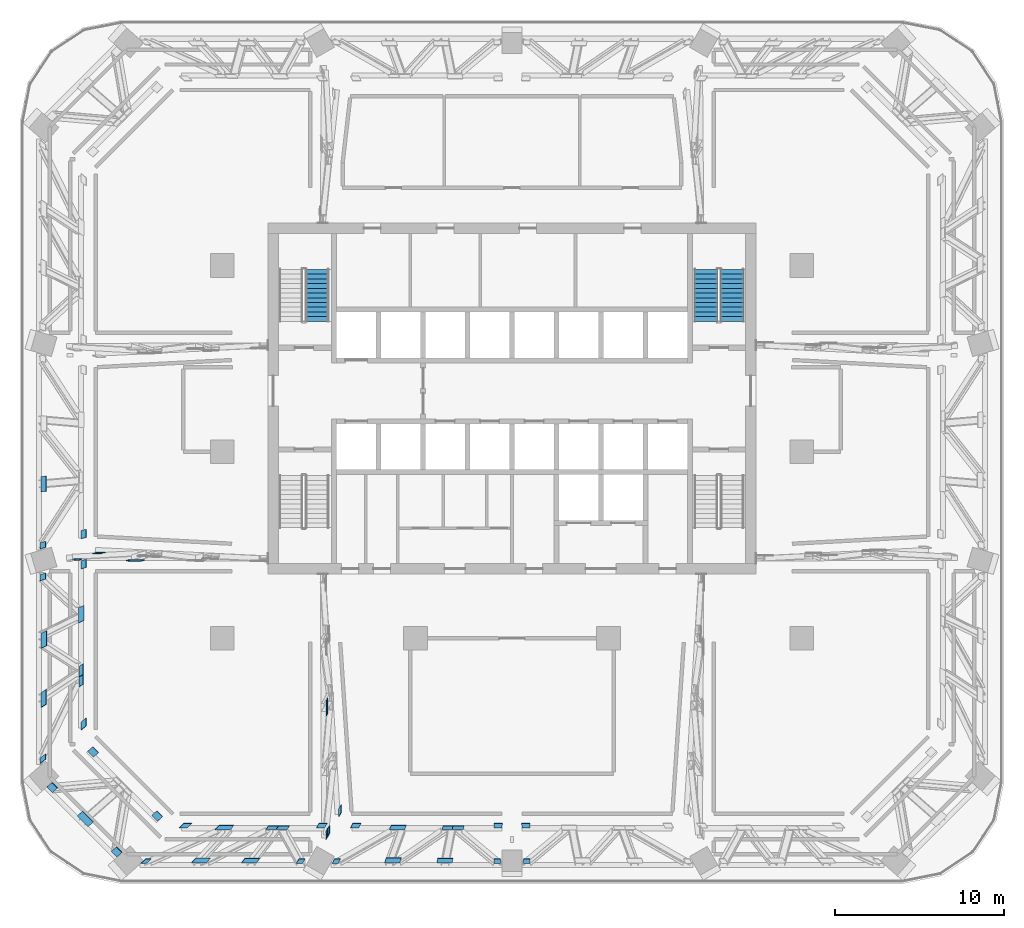
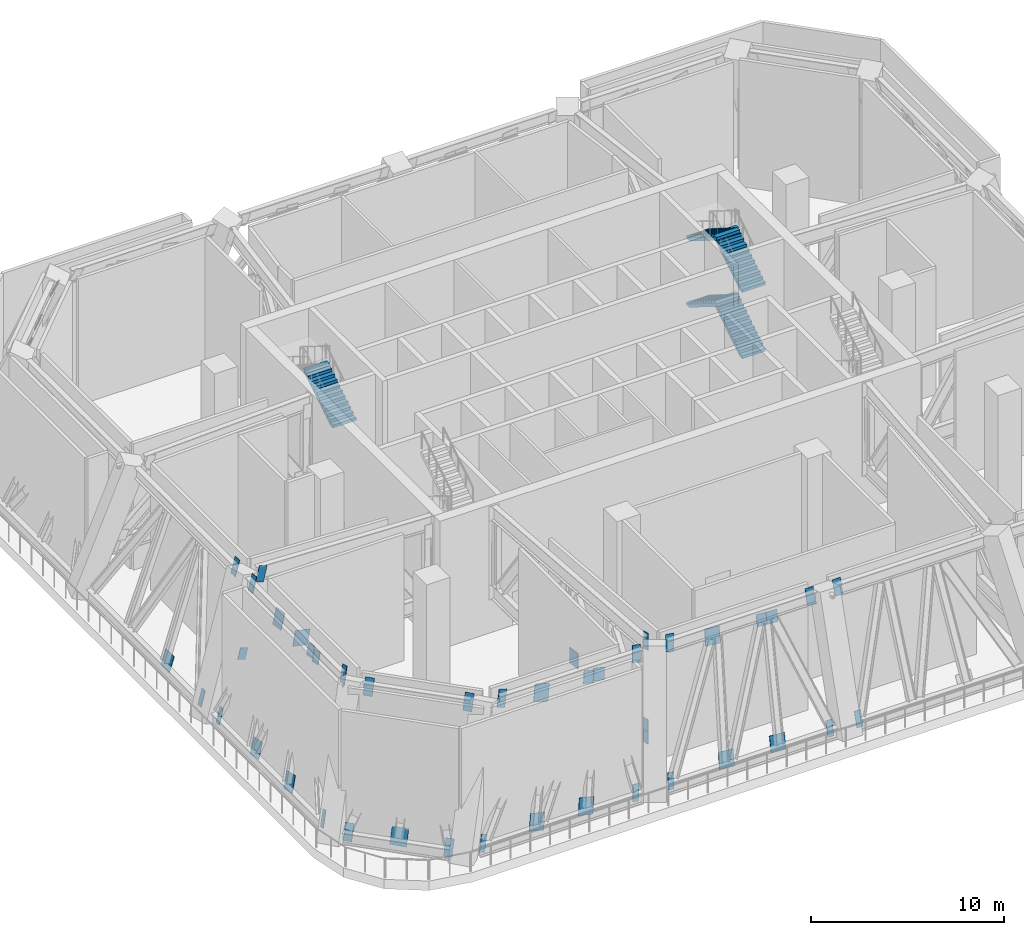
# One storey, part 9 of 24: 44 discrete accessories, 5 stair flights, 2 elements without a shape of their own.
"""IFC4 building model written with IfcOpenShell, lengths in metres."""

from ifc_helpers import new_model, si_unit, direction, frame, origin, origin_2d, place, context, subcontext, project, spatial, polyline, rectangle, outline, extrude, material, layer, layer_set, type_object, element, aggregate, save


model = new_model("IFC4")

# Units and contexts
model_context = context("Model", 3, precision=1e-05, world=origin(), true_north=direction((0.0, 1.0)))
body_context = subcontext(model_context, "Body", "Model", "MODEL_VIEW")
ifc_project = project(units=[si_unit("LENGTHUNIT", "METRE"), si_unit("AREAUNIT", "SQUARE_METRE"), si_unit("VOLUMEUNIT", "CUBIC_METRE"), si_unit("PLANEANGLEUNIT", "RADIAN"), si_unit("MASSUNIT", "GRAM", prefix="KILO")], contexts=[model_context])

# Site, building, storey
site_placement = place(None, origin())
site = spatial("IfcSite", under=ifc_project, at=site_placement, CompositionType="ELEMENT")
building_placement = place(site_placement, origin())
building = spatial("IfcBuilding", under=site, at=building_placement, Name="Mopane Tessera Tower", CompositionType="ELEMENT")
storey_placement = place(building_placement, frame((0.0, 0.0, 148.60009765625)))
storey = spatial("IfcBuildingStorey", under=building, at=storey_placement, Name="L30", CompositionType="ELEMENT", Elevation=148.60009765625)

# Stair, stair flight
ifc_material_1 = material(Name="Concrete C50/60", Category="concrete")
stair_type = type_object("IfcStairType", Name="Escape stair 1400 mm, riser 175 mm", PredefinedType="HALF_TURN_STAIR", material=ifc_material_1)
stair_1_placement = place(storey_placement, origin())
stair_1 = element("IfcStair", 1, at=stair_1_placement, inside=storey, type_object=stair_type, Name="L30 Escape stair north-west", PredefinedType="HALF_TURN_STAIR")
ifc_material_2 = material(Name="Concrete C50/60", Category="concrete")
stair_flight_type = type_object("IfcStairFlightType", Name="Escape stair flight 1400 mm", PredefinedType="STRAIGHT", material=ifc_material_2)
stair_flight_1_placement = place(storey_placement, frame((-11.5, 7.699951171875, 4.199951171875), z_axis=(0.0, 0.0, 1.0), x_axis=(0.0, 1.0, 0.0)))
stair_flight_1 = element("IfcStairFlight", 2, at=stair_flight_1_placement, type_object=stair_flight_type, Name="ST2 flight 3", NumberOfRisers=12, NumberOfTreads=11, PredefinedType="STRAIGHT", RiserHeight=0.175, TreadLength=0.28, context=body_context, shape_type="SweptSolid", body=[
    extrude(outline(polyline([(0.0, 0.0), (0.0, 0.175048828125), (0.280029296875, 0.175048828125), (0.280029296875, 0.35009765625), (0.56005859375, 0.35009765625), (0.56005859375, 0.52490234375), (0.840087890625, 0.52490234375), (0.840087890625, 0.699951171875), (1.1201171875, 0.699951171875), (1.1201171875, 0.875), (1.39990234375, 0.875), (1.39990234375, 1.050048828125), (1.679931640625, 1.050048828125), (1.679931640625, 1.22509765625), (1.9599609375, 1.22509765625), (1.9599609375, 1.39990234375), (2.239990234375, 1.39990234375), (2.239990234375, 1.574951171875), (2.52001953125, 1.574951171875), (2.52001953125, 1.75), (2.800048828125, 1.75), (2.800048828125, 1.925048828125), (3.080078125, 1.925048828125), (3.080078125, 2.10009765625), (3.080078125, 1.748291015625), (0.28271484375, 0.0), (0.0, 0.0)])), frame((0.0, 0.699951171875, 0.0), z_axis=(0.0, -1.0, 0.0), x_axis=(1.0, 0.0, 0.0)), (0.0, 0.0, 1.0), 1.39990234375),
])
aggregate(stair_1, [stair_flight_1])

# Stair, stair flights
stair_2_placement = place(storey_placement, origin())
stair_2 = element("IfcStair", 3, at=stair_2_placement, inside=storey, type_object=stair_type, Name="L30 Escape stair north-east", PredefinedType="HALF_TURN_STAIR")
stair_flight_2_placement = place(storey_placement, frame((13.0, 7.699951171875, 0.0), z_axis=(0.0, 0.0, 1.0), x_axis=(0.0, 1.0, 0.0)))
stair_flight_2 = element("IfcStairFlight", 4, at=stair_flight_2_placement, type_object=stair_flight_type, Name="ST4 flight 1", NumberOfRisers=12, NumberOfTreads=11, PredefinedType="STRAIGHT", RiserHeight=0.175, TreadLength=0.28, context=body_context, shape_type="SweptSolid", body=[
    extrude(outline(polyline([(0.0, 0.0), (0.0, 0.175048828125), (0.280029296875, 0.175048828125), (0.280029296875, 0.35009765625), (0.56005859375, 0.35009765625), (0.56005859375, 0.52490234375), (0.840087890625, 0.52490234375), (0.840087890625, 0.699951171875), (1.1201171875, 0.699951171875), (1.1201171875, 0.875), (1.39990234375, 0.875), (1.39990234375, 1.050048828125), (1.679931640625, 1.050048828125), (1.679931640625, 1.22509765625), (1.9599609375, 1.22509765625), (1.9599609375, 1.39990234375), (2.239990234375, 1.39990234375), (2.239990234375, 1.574951171875), (2.52001953125, 1.574951171875), (2.52001953125, 1.75), (2.800048828125, 1.75), (2.800048828125, 1.925048828125), (3.080078125, 1.925048828125), (3.080078125, 2.10009765625), (3.080078125, 1.748291015625), (0.28271484375, 0.0), (0.0, 0.0)])), frame((0.0, 0.699951171875, 0.0), z_axis=(0.0, -1.0, 0.0), x_axis=(1.0, 0.0, 0.0)), (0.0, 0.0, 1.0), 1.39990234375),
])
stair_flight_3_placement = place(storey_placement, frame((11.449951171875, 10.780029296875, 2.099853515625), z_axis=(0.0, 0.0, 1.0), x_axis=(0.0, -1.0, 0.0)))
stair_flight_3 = element("IfcStairFlight", 5, at=stair_flight_3_placement, type_object=stair_flight_type, Name="ST4 flight 2", NumberOfRisers=12, NumberOfTreads=11, PredefinedType="STRAIGHT", RiserHeight=0.175, TreadLength=0.28, context=body_context, shape_type="SweptSolid", body=[
    extrude(outline(polyline([(0.0, 0.0), (0.0, 0.175048828125), (0.280029296875, 0.175048828125), (0.280029296875, 0.35009765625), (0.56005859375, 0.35009765625), (0.56005859375, 0.52490234375), (0.840087890625, 0.52490234375), (0.840087890625, 0.699951171875), (1.1201171875, 0.699951171875), (1.1201171875, 0.875), (1.39990234375, 0.875), (1.39990234375, 1.050048828125), (1.679931640625, 1.050048828125), (1.679931640625, 1.22509765625), (1.9599609375, 1.22509765625), (1.9599609375, 1.39990234375), (2.239990234375, 1.39990234375), (2.239990234375, 1.574951171875), (2.52001953125, 1.574951171875), (2.52001953125, 1.75), (2.800048828125, 1.75), (2.800048828125, 1.925048828125), (3.080078125, 1.925048828125), (3.080078125, 2.10009765625), (3.080078125, 1.748291015625), (0.28271484375, 0.0), (0.0, 0.0)])), frame((0.0, 0.699951171875, 0.0), z_axis=(0.0, -1.0, 0.0), x_axis=(1.0, 0.0, 0.0)), (0.0, 0.0, 1.0), 1.39990234375),
])
stair_flight_4_placement = place(storey_placement, frame((13.0, 7.699951171875, 4.199951171875), z_axis=(0.0, 0.0, 1.0), x_axis=(0.0, 1.0, 0.0)))
stair_flight_4 = element("IfcStairFlight", 6, at=stair_flight_4_placement, type_object=stair_flight_type, Name="ST4 flight 3", NumberOfRisers=12, NumberOfTreads=11, PredefinedType="STRAIGHT", RiserHeight=0.175, TreadLength=0.28, context=body_context, shape_type="SweptSolid", body=[
    extrude(outline(polyline([(0.0, 0.0), (0.0, 0.175048828125), (0.280029296875, 0.175048828125), (0.280029296875, 0.35009765625), (0.56005859375, 0.35009765625), (0.56005859375, 0.52490234375), (0.840087890625, 0.52490234375), (0.840087890625, 0.699951171875), (1.1201171875, 0.699951171875), (1.1201171875, 0.875), (1.39990234375, 0.875), (1.39990234375, 1.050048828125), (1.679931640625, 1.050048828125), (1.679931640625, 1.22509765625), (1.9599609375, 1.22509765625), (1.9599609375, 1.39990234375), (2.239990234375, 1.39990234375), (2.239990234375, 1.574951171875), (2.52001953125, 1.574951171875), (2.52001953125, 1.75), (2.800048828125, 1.75), (2.800048828125, 1.925048828125), (3.080078125, 1.925048828125), (3.080078125, 2.10009765625), (3.080078125, 1.748291015625), (0.28271484375, 0.0), (0.0, 0.0)])), frame((0.0, 0.699951171875, 0.0), z_axis=(0.0, -1.0, 0.0), x_axis=(1.0, 0.0, 0.0)), (0.0, 0.0, 1.0), 1.39990234375),
])
stair_flight_5_placement = place(storey_placement, frame((11.449951171875, 10.780029296875, 6.2998046875), z_axis=(0.0, 0.0, 1.0), x_axis=(0.0, -1.0, 0.0)))
stair_flight_5 = element("IfcStairFlight", 7, at=stair_flight_5_placement, type_object=stair_flight_type, Name="ST4 flight 4", NumberOfRisers=12, NumberOfTreads=11, PredefinedType="STRAIGHT", RiserHeight=0.175, TreadLength=0.28, context=body_context, shape_type="SweptSolid", body=[
    extrude(outline(polyline([(0.0, 0.0), (0.0, 0.175048828125), (0.280029296875, 0.175048828125), (0.280029296875, 0.35009765625), (0.56005859375, 0.35009765625), (0.56005859375, 0.52490234375), (0.840087890625, 0.52490234375), (0.840087890625, 0.699951171875), (1.1201171875, 0.699951171875), (1.1201171875, 0.875), (1.39990234375, 0.875), (1.39990234375, 1.050048828125), (1.679931640625, 1.050048828125), (1.679931640625, 1.22509765625), (1.9599609375, 1.22509765625), (1.9599609375, 1.39990234375), (2.239990234375, 1.39990234375), (2.239990234375, 1.574951171875), (2.52001953125, 1.574951171875), (2.52001953125, 1.75), (2.800048828125, 1.75), (2.800048828125, 1.925048828125), (3.080078125, 1.925048828125), (3.080078125, 2.10009765625), (3.080078125, 1.748291015625), (0.28271484375, 0.0), (0.0, 0.0)])), frame((0.0, 0.699951171875, 0.0), z_axis=(0.0, -1.0, 0.0), x_axis=(1.0, 0.0, 0.0)), (0.0, 0.0, 1.0), 1.39990234375),
])
aggregate(stair_2, [stair_flight_2, stair_flight_3, stair_flight_4, stair_flight_5])

# Discrete accessories
ifc_material_3 = material(Name="Structural steel S460", Category="steel")
ifc_layer = layer(ifc_material_3, 0.030029296875)
ifc_layer_set = layer_set([ifc_layer], Name="Structural steel S460")
discrete_accessory_type = type_object("IfcDiscreteAccessoryType", Name="Truss node plate 30 mm", PredefinedType="BRACKET", material=ifc_layer_set)
discrete_accessory_1_placement = place(storey_placement, frame((-22.328857421875, -6.429443359375, 2.559814453125), z_axis=(0.205584201057, 0.060138677371, 0.976789883117), x_axis=(0.009145166292, -0.998184557828, 0.059531121667)))
element("IfcDiscreteAccessory", 8, at=discrete_accessory_1_placement, inside=storey, type_object=discrete_accessory_type, Name="Truss node plate s ot L30 W2 8", PredefinedType="BRACKET", context=body_context, shape_type="SweptSolid", body=[
    extrude(rectangle(XDim=0.030029296875, YDim=0.89990234375, at=origin_2d()), origin(), (0.0, 0.0, 1.0), 0.921630859375),
])
discrete_accessory_2_placement = place(storey_placement, frame((-24.52392578125, -6.011474609375, 7.094970703125), z_axis=(0.291093975679, 0.085053213142, 0.95290621168), x_axis=(0.021463011906, -0.996370167906, 0.082376135061)))
element("IfcDiscreteAccessory", 9, at=discrete_accessory_2_placement, inside=storey, type_object=discrete_accessory_type, Name="Truss node plate s ot L30 W2 11", PredefinedType="BRACKET", context=body_context, shape_type="SweptSolid", body=[
    extrude(rectangle(XDim=0.030029296875, YDim=0.489990234375, at=origin_2d()), origin(), (0.0, 0.0, 1.0), 0.9443359375),
])
discrete_accessory_3_placement = place(storey_placement, frame((-25.817626953125, -6.3876953125, 2.88427734375), z_axis=(0.291044014217, 0.085236920309, 0.952905057812), x_axis=(0.022103753452, -0.996356458321, 0.082372519969)))
element("IfcDiscreteAccessory", 10, at=discrete_accessory_3_placement, inside=storey, type_object=discrete_accessory_type, Name="Truss node plate s ot L30 W2 12", PredefinedType="BRACKET", context=body_context, shape_type="SweptSolid", body=[
    extrude(rectangle(XDim=0.030029296875, YDim=0.474853515625, at=origin_2d()), origin(), (0.0, 0.0, 1.0), 0.670166015625),
])
discrete_accessory_4_placement = place(storey_placement, frame((-10.96533203125, -15.13232421875, 2.559814453125), z_axis=(0.080288276423, 0.141039738916, 0.986742917236), x_axis=(0.996758512916, -0.006271078809, -0.080206860684)))
element("IfcDiscreteAccessory", 11, at=discrete_accessory_4_placement, inside=storey, type_object=discrete_accessory_type, Name="Truss node plate s ot L30 S1 8", PredefinedType="BRACKET", context=body_context, shape_type="SweptSolid", body=[
    extrude(rectangle(XDim=0.030029296875, YDim=0.89990234375, at=origin_2d()), origin(), (0.0, 0.0, 1.0), 0.912353515625),
])
discrete_accessory_5_placement = place(storey_placement, frame((-10.9814453125, -22.63818359375, 2.2353515625), z_axis=(0.150029990169, 0.263280783719, 0.952981757944), x_axis=(0.988670944276, -0.035509077997, -0.14583850426)))
element("IfcDiscreteAccessory", 12, at=discrete_accessory_5_placement, inside=storey, type_object=discrete_accessory_type, Name="Truss node plate s ot L30 S1 15", PredefinedType="BRACKET", context=body_context, shape_type="SweptSolid", body=[
    extrude(rectangle(XDim=0.030029296875, YDim=0.489990234375, at=origin_2d()), origin(), (0.0, 0.0, 1.0), 0.67041015625),
])
discrete_accessory_6_placement = place(storey_placement, frame((-10.21630859375, -21.2958984375, 7.094970703125), z_axis=(0.149958838293, 0.263203616176, 0.953014272322), x_axis=(0.988681455665, -0.035418413877, -0.145789283494)))
element("IfcDiscreteAccessory", 13, at=discrete_accessory_6_placement, inside=storey, type_object=discrete_accessory_type, Name="Truss node plate s ot L30 S1 16", PredefinedType="BRACKET", context=body_context, shape_type="SweptSolid", body=[
    extrude(rectangle(XDim=0.030029296875, YDim=0.489990234375, at=origin_2d()), origin(), (0.0, 0.0, 1.0), 0.9443359375),
])
discrete_accessory_7_placement = place(storey_placement, frame((-10.879150390625, -22.466552734375, 2.88427734375), z_axis=(0.150029990169, 0.263280783719, 0.952981757944), x_axis=(0.988671032135, -0.035527704503, -0.145833372138)))
element("IfcDiscreteAccessory", 14, at=discrete_accessory_7_placement, inside=storey, type_object=discrete_accessory_type, Name="Truss node plate s ot L30 S1 17", PredefinedType="BRACKET", context=body_context, shape_type="SweptSolid", body=[
    extrude(rectangle(XDim=0.030029296875, YDim=0.474609375, at=origin_2d()), origin(), (0.0, 0.0, 1.0), 0.67041015625),
])
discrete_accessory_8_placement = place(storey_placement, frame((-21.758544921875, -24.29931640625, 0.11328125), z_axis=(0.294014065287, 0.272640261725, 0.916091162003), x_axis=(-0.083106720852, 0.962116023558, -0.259665227096)))
element("IfcDiscreteAccessory", 15, at=discrete_accessory_8_placement, inside=storey, type_object=discrete_accessory_type, Name="Truss node plate s bt L30 S0-S1 0", PredefinedType="BRACKET", context=body_context, shape_type="SweptSolid", body=[
    extrude(rectangle(XDim=0.030029296875, YDim=0.343017578125, at=origin_2d()), origin(), (0.0, 0.0, 1.0), 0.982421875),
])
discrete_accessory_9_placement = place(storey_placement, frame((-19.42138671875, -22.192626953125, 7.19189453125), z_axis=(0.292858334789, 0.272969823089, 0.916363176599), x_axis=(-0.083711922365, 0.962022395971, -0.259817673964)))
element("IfcDiscreteAccessory", 16, at=discrete_accessory_9_placement, inside=storey, type_object=discrete_accessory_type, Name="Truss node plate s bt L30 S0-S1 1", PredefinedType="BRACKET", context=body_context, shape_type="SweptSolid", body=[
    extrude(rectangle(XDim=0.030029296875, YDim=0.489990234375, at=origin_2d()), origin(), (0.0, 0.0, 1.0), 0.98193359375),
])
discrete_accessory_10_placement = place(storey_placement, frame((-17.10009765625, -22.306884765625, 6.8076171875), z_axis=(0.258942538481, 0.275518879451, 0.92576352749), x_axis=(-0.074260764789, 0.961295659552, -0.265322433541)))
element("IfcDiscreteAccessory", 17, at=discrete_accessory_10_placement, inside=storey, type_object=discrete_accessory_type, Name="Truss node plate s bt L30 S0-S1 2", PredefinedType="BRACKET", context=body_context, shape_type="SweptSolid", body=[
    extrude(rectangle(XDim=0.030029296875, YDim=0.89990234375, at=origin_2d()), origin(), (0.0, 0.0, 1.0), 0.97216796875),
])
discrete_accessory_11_placement = place(storey_placement, frame((-18.477783203125, -24.2470703125, 0.288330078125), z_axis=(0.253305849021, 0.275944902061, 0.927194994528), x_axis=(-0.072611944021, 0.961173448968, -0.266220034153)))
element("IfcDiscreteAccessory", 18, at=discrete_accessory_11_placement, inside=storey, type_object=discrete_accessory_type, Name="Truss node plate s bt L30 S0-S1 3", PredefinedType="BRACKET", context=body_context, shape_type="SweptSolid", body=[
    extrude(rectangle(XDim=0.030029296875, YDim=0.89990234375, at=origin_2d()), origin(), (0.0, 0.0, 1.0), 0.970458984375),
])
discrete_accessory_12_placement = place(storey_placement, frame((-14.201904296875, -22.26953125, 6.932861328125), z_axis=(0.217876591761, 0.278339952154, 0.935444633208), x_axis=(-0.062771902272, 0.960482555847, -0.271169593057)))
element("IfcDiscreteAccessory", 19, at=discrete_accessory_12_placement, inside=storey, type_object=discrete_accessory_type, Name="Truss node plate s bt L30 S0-S1 4", PredefinedType="BRACKET", context=body_context, shape_type="SweptSolid", body=[
    extrude(rectangle(XDim=0.030029296875, YDim=0.6572265625, at=origin_2d()), origin(), (0.0, 0.0, 1.0), 0.70263671875),
])
discrete_accessory_13_placement = place(storey_placement, frame((-15.52978515625, -24.25390625, 0.265869140625), z_axis=(0.214793508031, 0.278520659941, 0.936103621879), x_axis=(-0.062212364105, 0.960430234975, -0.27148367446)))
element("IfcDiscreteAccessory", 20, at=discrete_accessory_13_placement, inside=storey, type_object=discrete_accessory_type, Name="Truss node plate s bt L30 S0-S1 5", PredefinedType="BRACKET", context=body_context, shape_type="SweptSolid", body=[
    extrude(rectangle(XDim=0.030029296875, YDim=0.89990234375, at=origin_2d()), origin(), (0.0, 0.0, 1.0), 0.961669921875),
])
discrete_accessory_14_placement = place(storey_placement, frame((-13.606201171875, -22.278564453125, 6.90234375), z_axis=(0.208844462456, 0.278807357379, 0.937363562324), x_axis=(-0.060619972565, 0.960347050467, -0.272137394684)))
element("IfcDiscreteAccessory", 21, at=discrete_accessory_14_placement, inside=storey, type_object=discrete_accessory_type, Name="Truss node plate s bt L30 S0-S1 6", PredefinedType="BRACKET", context=body_context, shape_type="SweptSolid", body=[
    extrude(rectangle(XDim=0.030029296875, YDim=0.6572265625, at=origin_2d()), origin(), (0.0, 0.0, 1.0), 0.701416015625),
])
discrete_accessory_15_placement = place(storey_placement, frame((-11.312255859375, -22.192626953125, 7.19189453125), z_axis=(0.175841003758, 0.281038460155, 0.943449694107), x_axis=(-0.051419626951, 0.959696503443, -0.276294486453)))
element("IfcDiscreteAccessory", 22, at=discrete_accessory_15_placement, inside=storey, type_object=discrete_accessory_type, Name="Truss node plate s bt L30 S0-S1 7", PredefinedType="BRACKET", context=body_context, shape_type="SweptSolid", body=[
    extrude(rectangle(XDim=0.030029296875, YDim=0.489990234375, at=origin_2d()), origin(), (0.0, 0.0, 1.0), 0.953857421875),
])
discrete_accessory_16_placement = place(storey_placement, frame((-12.5673828125, -24.29931640625, 0.11328125), z_axis=(0.174861150859, 0.280853122243, 0.943686972278), x_axis=(-0.05111114351, 0.959750759543, -0.276163231742)))
element("IfcDiscreteAccessory", 23, at=discrete_accessory_16_placement, inside=storey, type_object=discrete_accessory_type, Name="Truss node plate s bt L30 S0-S1 8", PredefinedType="BRACKET", context=body_context, shape_type="SweptSolid", body=[
    extrude(rectangle(XDim=0.030029296875, YDim=0.36474609375, at=origin_2d()), origin(), (0.0, 0.0, 1.0), 0.95361328125),
])
discrete_accessory_17_placement = place(storey_placement, frame((-10.44482421875, -24.298583984375, 0.11572265625), z_axis=(0.145857698787, 0.282197346683, 0.948203664425), x_axis=(-0.043341002099, 0.959356283123, -0.278849564405)))
element("IfcDiscreteAccessory", 24, at=discrete_accessory_17_placement, inside=storey, type_object=discrete_accessory_type, Name="Truss node plate s bt L30 S1-S2 0", PredefinedType="BRACKET", context=body_context, shape_type="SweptSolid", body=[
    extrude(rectangle(XDim=0.030029296875, YDim=0.3623046875, at=origin_2d()), origin(), (0.0, 0.0, 1.0), 0.948974609375),
])
discrete_accessory_18_placement = place(storey_placement, frame((-9.2978515625, -22.192626953125, 7.19189453125), z_axis=(0.145091716292, 0.282465788101, 0.948241252222), x_axis=(-0.043145507269, 0.959277285581, -0.27915149036)))
element("IfcDiscreteAccessory", 25, at=discrete_accessory_18_placement, inside=storey, type_object=discrete_accessory_type, Name="Truss node plate s bt L30 S1-S2 1", PredefinedType="BRACKET", context=body_context, shape_type="SweptSolid", body=[
    extrude(rectangle(XDim=0.030029296875, YDim=0.489990234375, at=origin_2d()), origin(), (0.0, 0.0, 1.0), 0.948974609375),
])
discrete_accessory_19_placement = place(storey_placement, frame((-6.790771484375, -22.3076171875, 6.80517578125), z_axis=(0.105754025834, 0.28364832846, 0.953079069008), x_axis=(-0.031612606792, 0.958928320501, -0.281881392136)))
element("IfcDiscreteAccessory", 26, at=discrete_accessory_19_placement, inside=storey, type_object=discrete_accessory_type, Name="Truss node plate s bt L30 S1-S2 2", PredefinedType="BRACKET", context=body_context, shape_type="SweptSolid", body=[
    extrude(rectangle(XDim=0.030029296875, YDim=0.89990234375, at=origin_2d()), origin(), (0.0, 0.0, 1.0), 0.944091796875),
])
discrete_accessory_20_placement = place(storey_placement, frame((-7.07080078125, -24.24658203125, 0.290771484375), z_axis=(0.099604567411, 0.284067051992, 0.953616715522), x_axis=(-0.02997540568, 0.958804312008, -0.282481444221)))
element("IfcDiscreteAccessory", 27, at=discrete_accessory_20_placement, inside=storey, type_object=discrete_accessory_type, Name="Truss node plate s bt L30 S1-S2 3", PredefinedType="BRACKET", context=body_context, shape_type="SweptSolid", body=[
    extrude(rectangle(XDim=0.030029296875, YDim=0.89990234375, at=origin_2d()), origin(), (0.0, 0.0, 1.0), 0.943603515625),
])
discrete_accessory_21_placement = place(storey_placement, frame((-3.79296875, -22.269775390625, 6.932373046875), z_axis=(0.059326992688, 0.284841043208, 0.956737104979), x_axis=(-0.018225321465, 0.958574593942, -0.284257955924)))
element("IfcDiscreteAccessory", 28, at=discrete_accessory_21_placement, inside=storey, type_object=discrete_accessory_type, Name="Truss node plate s bt L30 S1-S2 4", PredefinedType="BRACKET", context=body_context, shape_type="SweptSolid", body=[
    extrude(rectangle(XDim=0.030029296875, YDim=0.653564453125, at=origin_2d()), origin(), (0.0, 0.0, 1.0), 0.68310546875),
])
discrete_accessory_22_placement = place(storey_placement, frame((-3.984619140625, -24.25390625, 0.265869140625), z_axis=(0.05632191717, 0.284724161914, 0.956953495876), x_axis=(-0.016739253774, 0.95860948854, -0.284231676392)))
element("IfcDiscreteAccessory", 29, at=discrete_accessory_22_placement, inside=storey, type_object=discrete_accessory_type, Name="Truss node plate s bt L30 S1-S2 5", PredefinedType="BRACKET", context=body_context, shape_type="SweptSolid", body=[
    extrude(rectangle(XDim=0.030029296875, YDim=0.89990234375, at=origin_2d()), origin(), (0.0, 0.0, 1.0), 0.940673828125),
])
discrete_accessory_23_placement = place(storey_placement, frame((-3.195556640625, -22.279541015625, 6.899658203125), z_axis=(0.05006025543, 0.2849858827, 0.95722359848), x_axis=(-0.015114178289, 0.958531688421, -0.284584897539)))
element("IfcDiscreteAccessory", 30, at=discrete_accessory_23_placement, inside=storey, type_object=discrete_accessory_type, Name="Truss node plate s bt L30 S1-S2 6", PredefinedType="BRACKET", context=body_context, shape_type="SweptSolid", body=[
    extrude(rectangle(XDim=0.030029296875, YDim=0.653564453125, at=origin_2d()), origin(), (0.0, 0.0, 1.0), 0.682861328125),
])
discrete_accessory_24_placement = place(storey_placement, frame((-0.82861328125, -22.192626953125, 7.19189453125), z_axis=(0.012999208892, 0.285462627273, 0.958301679534), x_axis=(-0.00417449528, 0.958389797688, -0.285432249891)))
element("IfcDiscreteAccessory", 31, at=discrete_accessory_24_placement, inside=storey, type_object=discrete_accessory_type, Name="Truss node plate s bt L30 S1-S2 7", PredefinedType="BRACKET", context=body_context, shape_type="SweptSolid", body=[
    extrude(rectangle(XDim=0.030029296875, YDim=0.489990234375, at=origin_2d()), origin(), (0.0, 0.0, 1.0), 0.93896484375),
])
for number, where, z_axis, x_axis, name in (
    (32, (-0.871826171875, -24.298583984375, 0.11572265625), (0.012220283108, 0.285226607864, 0.958382202906), (-0.003994425342, 0.958460048481, -0.285198842971), "Truss node plate s bt L30 S1-S2 8"),
    (33, (0.871826171875, -24.298583984375, 0.11572265625), (-0.012220283108, 0.285226607864, 0.958382202906), (0.003994425342, 0.958460048481, -0.285198842971), "Truss node plate s bt L30 S2-S3 0"),
):
    element("IfcDiscreteAccessory", number, at=place(storey_placement, frame(where, z_axis=z_axis, x_axis=x_axis)), inside=storey, type_object=discrete_accessory_type, Name=name, PredefinedType="BRACKET", context=body_context, shape_type="SweptSolid", body=[
        extrude(rectangle(XDim=0.030029296875, YDim=0.383544921875, at=origin_2d()), origin(), (0.0, 0.0, 1.0), 0.93896484375),
    ])
discrete_accessory_25_placement = place(storey_placement, frame((0.82861328125, -22.192626953125, 7.19189453125), z_axis=(-0.012999208892, 0.285462627273, 0.958301679534), x_axis=(0.00417449528, 0.958389797688, -0.285432249891)))
element("IfcDiscreteAccessory", 34, at=discrete_accessory_25_placement, inside=storey, type_object=discrete_accessory_type, Name="Truss node plate s bt L30 S2-S3 1", PredefinedType="BRACKET", context=body_context, shape_type="SweptSolid", body=[
    extrude(rectangle(XDim=0.030029296875, YDim=0.489990234375, at=origin_2d()), origin(), (0.0, 0.0, 1.0), 0.93896484375),
])
discrete_accessory_26_placement = place(storey_placement, frame((-27.792724609375, -1.906494140625, 0.265869140625), z_axis=(0.320954854589, 0.027730499436, 0.946688439095), x_axis=(0.947094449143, -0.009088412946, -0.32082628501)))
element("IfcDiscreteAccessory", 35, at=discrete_accessory_26_placement, inside=storey, type_object=discrete_accessory_type, Name="Truss node plate s bt L30 W1-W2 5", PredefinedType="BRACKET", context=body_context, shape_type="SweptSolid", body=[
    extrude(rectangle(XDim=0.030029296875, YDim=0.89990234375, at=origin_2d()), origin(), (0.0, 0.0, 1.0), 0.950927734375),
])
discrete_accessory_27_placement = place(storey_placement, frame((-25.44287109375, -4.888671875, 7.19189453125), z_axis=(0.320378968418, 0.079134373494, 0.943978319416), x_axis=(0.947289457433, -0.026741869188, -0.319260953247)))
element("IfcDiscreteAccessory", 36, at=discrete_accessory_27_placement, inside=storey, type_object=discrete_accessory_type, Name="Truss node plate s bt L30 W1-W2 7", PredefinedType="BRACKET", context=body_context, shape_type="SweptSolid", body=[
    extrude(rectangle(XDim=0.030029296875, YDim=0.489990234375, at=origin_2d()), origin(), (0.0, 0.0, 1.0), 0.953369140625),
])
discrete_accessory_28_placement = place(storey_placement, frame((-27.8408203125, -5.544921875, 0.1240234375), z_axis=(0.320052190562, 0.079885026764, 0.944025941283), x_axis=(0.947399871363, -0.027282616328, -0.318887350938)))
element("IfcDiscreteAccessory", 37, at=discrete_accessory_28_placement, inside=storey, type_object=discrete_accessory_type, Name="Truss node plate s bt L30 W1-W2 8", PredefinedType="BRACKET", context=body_context, shape_type="SweptSolid", body=[
    extrude(rectangle(XDim=0.030029296875, YDim=0.3623046875, at=origin_2d()), origin(), (0.0, 0.0, 1.0), 0.95361328125),
])
discrete_accessory_29_placement = place(storey_placement, frame((-27.841552734375, -7.431640625, 0.12255859375), z_axis=(0.319540928292, 0.107024499564, 0.94150908208), x_axis=(0.947572473766, -0.036042717955, -0.317501699907)))
element("IfcDiscreteAccessory", 38, at=discrete_accessory_29_placement, inside=storey, type_object=discrete_accessory_type, Name="Truss node plate s bt L30 W2-W3 0", PredefinedType="BRACKET", context=body_context, shape_type="SweptSolid", body=[
    extrude(rectangle(XDim=0.030029296875, YDim=0.3642578125, at=origin_2d()), origin(), (0.0, 0.0, 1.0), 0.955810546875),
])
discrete_accessory_30_placement = place(storey_placement, frame((-25.44287109375, -6.6845703125, 7.19189453125), z_axis=(0.319514631758, 0.10778191415, 0.941431600848), x_axis=(0.947581274564, -0.036718331253, -0.3173980029)))
element("IfcDiscreteAccessory", 39, at=discrete_accessory_30_placement, inside=storey, type_object=discrete_accessory_type, Name="Truss node plate s bt L30 W2-W3 1", PredefinedType="BRACKET", context=body_context, shape_type="SweptSolid", body=[
    extrude(rectangle(XDim=0.030029296875, YDim=0.489990234375, at=origin_2d()), origin(), (0.0, 0.0, 1.0), 0.955810546875),
])
discrete_accessory_31_placement = place(storey_placement, frame((-25.576416015625, -9.65185546875, 6.79833984375), z_axis=(0.317561452617, 0.153830727646, 0.93567667014), x_axis=(0.948237693548, -0.051498010774, -0.313357992431)))
element("IfcDiscreteAccessory", 40, at=discrete_accessory_31_placement, inside=storey, type_object=discrete_accessory_type, Name="Truss node plate s bt L30 W2-W3 2", PredefinedType="BRACKET", context=body_context, shape_type="SweptSolid", body=[
    extrude(rectangle(XDim=0.030029296875, YDim=0.89990234375, at=origin_2d()), origin(), (0.0, 0.0, 1.0), 0.961669921875),
])
discrete_accessory_32_placement = place(storey_placement, frame((-27.781982421875, -11.15625, 0.297607421875), z_axis=(0.317170330927, 0.159979599373, 0.934777785874), x_axis=(0.948368560453, -0.053260095985, -0.312666652715)))
element("IfcDiscreteAccessory", 41, at=discrete_accessory_32_placement, inside=storey, type_object=discrete_accessory_type, Name="Truss node plate s bt L30 W2-W3 3", PredefinedType="BRACKET", context=body_context, shape_type="SweptSolid", body=[
    extrude(rectangle(XDim=0.030029296875, YDim=0.89990234375, at=origin_2d()), origin(), (0.0, 0.0, 1.0), 0.962890625),
])
discrete_accessory_33_placement = place(storey_placement, frame((-25.53125, -12.963134765625, 6.930908203125), z_axis=(0.314260884105, 0.205044657567, 0.926928683948), x_axis=(0.949336635255, -0.067647103242, -0.306893829175)))
element("IfcDiscreteAccessory", 42, at=discrete_accessory_33_placement, inside=storey, type_object=discrete_accessory_type, Name="Truss node plate s bt L30 W2-W3 4", PredefinedType="BRACKET", context=body_context, shape_type="SweptSolid", body=[
    extrude(rectangle(XDim=0.030029296875, YDim=0.642333984375, at=origin_2d()), origin(), (0.0, 0.0, 1.0), 0.69287109375),
])
discrete_accessory_34_placement = place(storey_placement, frame((-27.792724609375, -14.656982421875, 0.265869140625), z_axis=(0.314053965883, 0.208029347001, 0.926333577768), x_axis=(0.949405101848, -0.068564244617, -0.306478216102)))
element("IfcDiscreteAccessory", 43, at=discrete_accessory_34_placement, inside=storey, type_object=discrete_accessory_type, Name="Truss node plate s bt L30 W2-W3 5", PredefinedType="BRACKET", context=body_context, shape_type="SweptSolid", body=[
    extrude(rectangle(XDim=0.030029296875, YDim=0.89990234375, at=origin_2d()), origin(), (0.0, 0.0, 1.0), 0.9716796875),
])
discrete_accessory_35_placement = place(storey_placement, frame((-25.544677734375, -13.55859375, 6.8916015625), z_axis=(0.313976168825, 0.213771008561, 0.925051847903), x_axis=(0.949430737568, -0.071196634896, -0.305797831483)))
element("IfcDiscreteAccessory", 44, at=discrete_accessory_35_placement, inside=storey, type_object=discrete_accessory_type, Name="Truss node plate s bt L30 W2-W3 6", PredefinedType="BRACKET", context=body_context, shape_type="SweptSolid", body=[
    extrude(rectangle(XDim=0.030029296875, YDim=0.642333984375, at=origin_2d()), origin(), (0.0, 0.0, 1.0), 0.6943359375),
])
discrete_accessory_36_placement = place(storey_placement, frame((-25.44287109375, -16.19775390625, 7.19189453125), z_axis=(0.310811789295, 0.254413487001, 0.915789172936), x_axis=(0.950471475505, -0.083117476253, -0.299492002217)))
element("IfcDiscreteAccessory", 45, at=discrete_accessory_36_placement, inside=storey, type_object=discrete_accessory_type, Name="Truss node plate s bt L30 W2-W3 7", PredefinedType="BRACKET", context=body_context, shape_type="SweptSolid", body=[
    extrude(rectangle(XDim=0.030029296875, YDim=0.489990234375, at=origin_2d()), origin(), (0.0, 0.0, 1.0), 0.982666015625),
])
discrete_accessory_37_placement = place(storey_placement, frame((-27.841552734375, -18.240478515625, 0.12255859375), z_axis=(0.310733081057, 0.255342611772, 0.915557263611), x_axis=(0.950497199021, -0.083642165003, -0.299264202483)))
element("IfcDiscreteAccessory", 46, at=discrete_accessory_37_placement, inside=storey, type_object=discrete_accessory_type, Name="Truss node plate s bt L30 W2-W3 8", PredefinedType="BRACKET", context=body_context, shape_type="SweptSolid", body=[
    extrude(rectangle(XDim=0.030029296875, YDim=0.331298828125, at=origin_2d()), origin(), (0.0, 0.0, 1.0), 0.98291015625),
])
discrete_accessory_38_placement = place(storey_placement, frame((-27.2958984375, -19.948486328125, 0.10888671875), z_axis=(0.309337061572, 0.271257199476, 0.911443971986), x_axis=(0.636313992787, 0.653224784624, -0.410367985271)))
element("IfcDiscreteAccessory", 47, at=discrete_accessory_38_placement, inside=storey, type_object=discrete_accessory_type, Name="Truss node plate s bt L30 W3-S0 0", PredefinedType="BRACKET", context=body_context, shape_type="SweptSolid", body=[
    extrude(rectangle(XDim=0.030029296875, YDim=0.462890625, at=origin_2d()), origin(), (0.0, 0.0, 1.0), 0.9873046875),
])
discrete_accessory_39_placement = place(storey_placement, frame((-24.883056640625, -17.85009765625, 7.19189453125), z_axis=(0.309337061572, 0.271257199476, 0.911443971986), x_axis=(0.636313992787, 0.653224784624, -0.410367985271)))
element("IfcDiscreteAccessory", 48, at=discrete_accessory_39_placement, inside=storey, type_object=discrete_accessory_type, Name="Truss node plate s bt L30 W3-S0 1", PredefinedType="BRACKET", context=body_context, shape_type="SweptSolid", body=[
    extrude(rectangle(XDim=0.030029296875, YDim=0.489990234375, at=origin_2d()), origin(), (0.0, 0.0, 1.0), 0.9873046875),
])
discrete_accessory_40_placement = place(storey_placement, frame((-25.341796875, -21.802734375, 0.265869140625), z_axis=(0.30926735902, 0.271196077414, 0.911485813515), x_axis=(0.636345371366, 0.653252300453, -0.410275517542)))
element("IfcDiscreteAccessory", 49, at=discrete_accessory_40_placement, inside=storey, type_object=discrete_accessory_type, Name="Truss node plate s bt L30 W3-S0 3", PredefinedType="BRACKET", context=body_context, shape_type="SweptSolid", body=[
    extrude(rectangle(XDim=0.030029296875, YDim=0.89990234375, at=origin_2d()), origin(), (0.0, 0.0, 1.0), 0.987548828125),
])
discrete_accessory_41_placement = place(storey_placement, frame((-23.494140625, -23.75048828125, 0.10888671875), z_axis=(0.309337061572, 0.271257199476, 0.911443971986), x_axis=(0.636313992787, 0.653224784624, -0.410367985271)))
element("IfcDiscreteAccessory", 50, at=discrete_accessory_41_placement, inside=storey, type_object=discrete_accessory_type, Name="Truss node plate s bt L30 W3-S0 6", PredefinedType="BRACKET", context=body_context, shape_type="SweptSolid", body=[
    extrude(rectangle(XDim=0.030029296875, YDim=0.462890625, at=origin_2d()), origin(), (0.0, 0.0, 1.0), 0.9873046875),
])
discrete_accessory_42_placement = place(storey_placement, frame((-21.100341796875, -21.6328125, 7.19189453125), z_axis=(0.309337061572, 0.271257199476, 0.911443971986), x_axis=(0.636313992787, 0.653224784624, -0.410367985271)))
element("IfcDiscreteAccessory", 51, at=discrete_accessory_42_placement, inside=storey, type_object=discrete_accessory_type, Name="Truss node plate s bt L30 W3-S0 7", PredefinedType="BRACKET", context=body_context, shape_type="SweptSolid", body=[
    extrude(rectangle(XDim=0.030029296875, YDim=0.489990234375, at=origin_2d()), origin(), (0.0, 0.0, 1.0), 0.9873046875),
])

save(model, "model.ifc")
